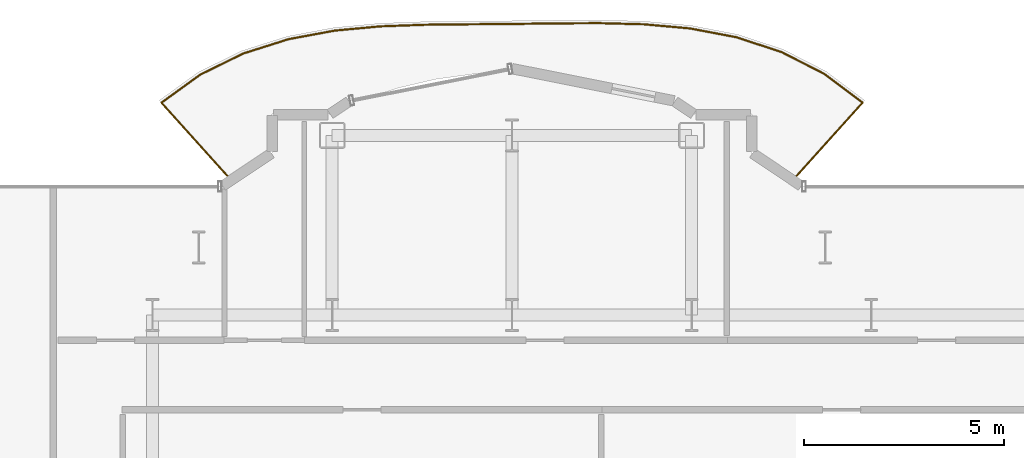
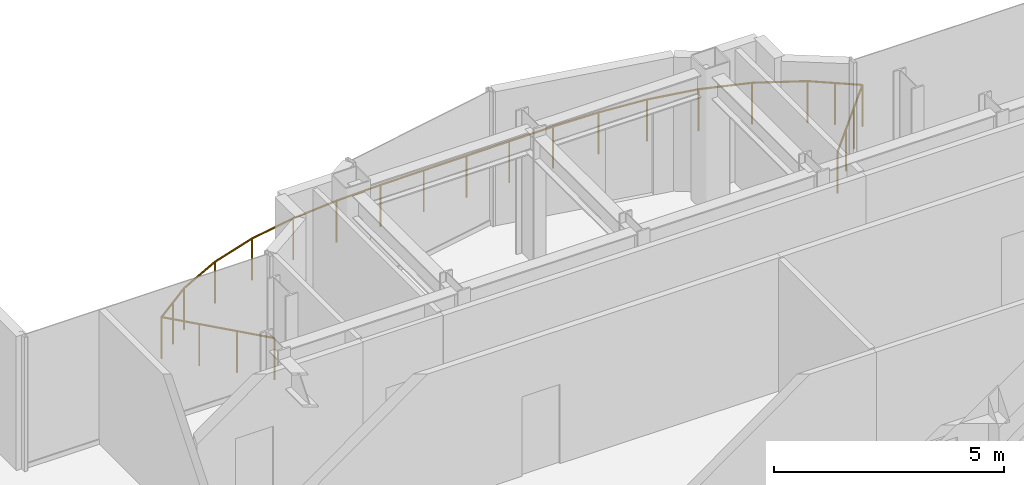
# One storey, part 20 of 20: 1 railing.
"""IFC4 building model written with IfcOpenShell, lengths in metres."""

from ifc_helpers import new_model, si_unit, direction, frame, origin, origin_2d, place, context, subcontext, project, spatial, circle, extrude, material, type_object, element, save


model = new_model("IFC4")

# Units and contexts
model_context = context("Model", 3, precision=1e-05, world=origin(), true_north=direction((0.0, 1.0)))
body_context = subcontext(model_context, "Body", "Model", "MODEL_VIEW")
ifc_project = project(units=[si_unit("LENGTHUNIT", "METRE"), si_unit("AREAUNIT", "SQUARE_METRE"), si_unit("VOLUMEUNIT", "CUBIC_METRE"), si_unit("PLANEANGLEUNIT", "RADIAN"), si_unit("MASSUNIT", "GRAM", prefix="KILO")], contexts=[model_context])

# Site, building, storey
site_placement = place(None, origin())
site = spatial("IfcSite", under=ifc_project, at=site_placement, CompositionType="ELEMENT")
building_placement = place(site_placement, origin())
building = spatial("IfcBuilding", under=site, at=building_placement, Name="Nefas-Gora Pilgrimage Tower", CompositionType="ELEMENT")
storey_placement = place(building_placement, frame((0.0, 0.0, 225.60009765625)))
storey = spatial("IfcBuildingStorey", under=building, at=storey_placement, Name="L56", CompositionType="ELEMENT", Elevation=225.60009765625)

# Railing
ifc_material = material(Name="Laminated safety glass and stainless steel", Category="steel")
railing_type = type_object("IfcRailingType", Name="RLG-BAL-1100", PredefinedType="BALUSTRADE", material=ifc_material)
railing_placement = place(storey_placement, frame((4.802490234375, 21.402587890625, 0.0)))
element("IfcRailing", 1, at=railing_placement, inside=storey, type_object=railing_type, Name="L56 Wave Balcony Balustrade N1", PredefinedType="BALUSTRADE", context=body_context, shape_type="SweptSolid", body=[
    extrude(circle(Radius=0.02392578125, at=origin_2d()), frame((0.0, 0.0, 1.09619140625), z_axis=(0.669142449017, 0.743134162129, 0.0), x_axis=(-0.743134162129, 0.669142449017, 0.0)), (0.0, 0.0, 1.0), 2.580322265625),
    extrude(circle(Radius=0.02392578125, at=origin_2d()), frame((1.7265625, 1.91748046875, 1.09619140625), z_axis=(-0.799609380454, 0.600520473164, 0.0), x_axis=(-0.600520473164, -0.799609380454, 0.0)), (0.0, 0.0, 1.0), 1.200439453125),
    extrude(circle(Radius=0.02392578125, at=origin_2d()), frame((0.7666015625, 2.638427734375, 1.09619140625), z_axis=(-0.890733279512, 0.45452637412, 0.0), x_axis=(-0.45452637412, -0.890733279512, 0.0)), (0.0, 0.0, 1.0), 1.199462890625),
    extrude(circle(Radius=0.02392578125, at=origin_2d()), frame((-0.3017578125, 3.18359375, 1.09619140625), z_axis=(-0.950145160324, 0.311807912523, 0.0), x_axis=(-0.311807912523, -0.950145160324, 0.0)), (0.0, 0.0, 1.0), 1.194091796875),
    extrude(circle(Radius=0.02392578125, at=origin_2d()), frame((-1.436279296875, 3.555908203125, 1.09619140625), z_axis=(-0.982457799544, 0.186485045284, 0.0), x_axis=(-0.186485045284, -0.982457799544, 0.0)), (0.0, 0.0, 1.0), 1.180908203125),
    extrude(circle(Radius=0.02392578125, at=origin_2d()), frame((-2.596435546875, 3.776123046875, 1.09619140625), z_axis=(-0.996011638398, 0.089223405981, 0.0), x_axis=(-0.089223405981, -0.996011638398, 0.0)), (0.0, 0.0, 1.0), 1.157470703125),
    extrude(circle(Radius=0.02392578125, at=origin_2d()), frame((-3.749267578125, 3.87939453125, 1.09619140625), z_axis=(-0.99967356135, 0.025549378436, 0.0), x_axis=(-0.025549378436, -0.99967356135, 0.0)), (0.0, 0.0, 1.0), 1.127685546875),
    extrude(circle(Radius=0.02392578125, at=origin_2d()), frame((-4.87646484375, 3.908203125, 1.09619140625), z_axis=(-0.999980616702, -0.00622625245, 0.0), x_axis=(0.00622625245, -0.999980616702, 0.0)), (0.0, 0.0, 1.0), 1.097900390625),
    extrude(circle(Radius=0.02392578125, at=origin_2d()), frame((-5.974365234375, 3.9013671875, 1.09619140625), z_axis=(-0.99992244912, -0.012453744271, 0.0), x_axis=(0.012453744271, -0.99992244912, 0.0)), (0.0, 0.0, 1.0), 1.078125),
    extrude(circle(Radius=0.02392578125, at=origin_2d()), frame((-7.052490234375, 3.887939453125, 1.09619140625), z_axis=(-0.999968478826, -0.007939858611, 0.0), x_axis=(0.007939858611, -0.999968478826, 0.0)), (0.0, 0.0, 1.0), 1.076171875),
    extrude(circle(Radius=0.02392578125, at=origin_2d()), frame((-8.128662109375, 3.87939453125, 1.09619140625), z_axis=(-0.999947171878, -0.010278786571, 0.0), x_axis=(0.010278786571, -0.999947171878, 0.0)), (0.0, 0.0, 1.0), 1.092529296875),
    extrude(circle(Radius=0.02392578125, at=origin_2d()), frame((-9.22119140625, 3.8681640625, 1.09619140625), z_axis=(-0.99936174395, -0.03572260811, 0.0), x_axis=(0.03572260811, -0.99936174395, 0.0)), (0.0, 0.0, 1.0), 1.120849609375),
    extrude(circle(Radius=0.02392578125, at=origin_2d()), frame((-10.34130859375, 3.828125, 1.09619140625), z_axis=(-0.995737068409, -0.092237143262, 0.0), x_axis=(0.092237143262, -0.995737068409, 0.0)), (0.0, 0.0, 1.0), 1.1513671875),
    extrude(circle(Radius=0.02392578125, at=origin_2d()), frame((-11.48779296875, 3.721923828125, 1.09619140625), z_axis=(-0.983222780011, -0.182408785063, 0.0), x_axis=(0.182408785063, -0.983222780011, 0.0)), (0.0, 0.0, 1.0), 1.176513671875),
    extrude(circle(Radius=0.02392578125, at=origin_2d()), frame((-12.64453125, 3.50732421875, 1.09619140625), z_axis=(-0.953347137132, -0.301876193369, 0.0), x_axis=(0.301876193369, -0.953347137132, 0.0)), (0.0, 0.0, 1.0), 1.192138671875),
    extrude(circle(Radius=0.02392578125, at=origin_2d()), frame((-13.781005859375, 3.1474609375, 1.09619140625), z_axis=(-0.8975416003, -0.440929785489, 0.0), x_axis=(0.440929785489, -0.8975416003, 0.0)), (0.0, 0.0, 1.0), 1.19873046875),
    extrude(circle(Radius=0.02392578125, at=origin_2d()), frame((-14.85693359375, 2.618896484375, 1.09619140625), z_axis=(-0.81049147795, -0.58575042823, 0.0), x_axis=(0.58575042823, -0.81049147795, 0.0)), (0.0, 0.0, 1.0), 1.200439453125),
    extrude(circle(Radius=0.02392578125, at=origin_2d()), frame((-15.829833984375, 1.915771484375, 1.09619140625), z_axis=(0.669105995394, -0.743166984552, 0.0), x_axis=(0.743166984552, 0.669105995394, 0.0)), (0.0, 0.0, 1.0), 2.577880859375),
    extrude(circle(Radius=0.02099609375, at=origin_2d()), origin(), (0.0, 0.0, 1.0), 1.072021484375),
    extrude(circle(Radius=0.02099609375, at=origin_2d()), frame((0.575439453125, 0.63916015625, 0.0)), (0.0, 0.0, 1.0), 1.072021484375),
    extrude(circle(Radius=0.02099609375, at=origin_2d()), frame((1.151123046875, 1.2783203125, 0.0)), (0.0, 0.0, 1.0), 1.072021484375),
    extrude(circle(Radius=0.02099609375, at=origin_2d()), frame((1.7265625, 1.91748046875, 0.0)), (0.0, 0.0, 1.0), 1.072021484375),
    extrude(circle(Radius=0.02099609375, at=origin_2d()), frame((1.24658203125, 2.27783203125, 0.0)), (0.0, 0.0, 1.0), 1.072021484375),
    extrude(circle(Radius=0.02099609375, at=origin_2d()), frame((0.7666015625, 2.638427734375, 0.0)), (0.0, 0.0, 1.0), 1.072021484375),
    extrude(circle(Radius=0.02099609375, at=origin_2d()), frame((-0.3017578125, 3.18359375, 0.0)), (0.0, 0.0, 1.0), 1.072021484375),
    extrude(circle(Radius=0.02099609375, at=origin_2d()), frame((-1.436279296875, 3.555908203125, 0.0)), (0.0, 0.0, 1.0), 1.072021484375),
    extrude(circle(Radius=0.02099609375, at=origin_2d()), frame((-2.596435546875, 3.776123046875, 0.0)), (0.0, 0.0, 1.0), 1.072021484375),
    extrude(circle(Radius=0.02099609375, at=origin_2d()), frame((-3.749267578125, 3.87939453125, 0.0)), (0.0, 0.0, 1.0), 1.072021484375),
    extrude(circle(Radius=0.02099609375, at=origin_2d()), frame((-4.87646484375, 3.908203125, 0.0)), (0.0, 0.0, 1.0), 1.072021484375),
    extrude(circle(Radius=0.02099609375, at=origin_2d()), frame((-5.974365234375, 3.9013671875, 0.0)), (0.0, 0.0, 1.0), 1.072021484375),
    extrude(circle(Radius=0.02099609375, at=origin_2d()), frame((-7.052490234375, 3.887939453125, 0.0)), (0.0, 0.0, 1.0), 1.072021484375),
    extrude(circle(Radius=0.02099609375, at=origin_2d()), frame((-8.128662109375, 3.87939453125, 0.0)), (0.0, 0.0, 1.0), 1.072021484375),
    extrude(circle(Radius=0.02099609375, at=origin_2d()), frame((-9.22119140625, 3.8681640625, 0.0)), (0.0, 0.0, 1.0), 1.072021484375),
    extrude(circle(Radius=0.02099609375, at=origin_2d()), frame((-10.34130859375, 3.828125, 0.0)), (0.0, 0.0, 1.0), 1.072021484375),
    extrude(circle(Radius=0.02099609375, at=origin_2d()), frame((-11.48779296875, 3.721923828125, 0.0)), (0.0, 0.0, 1.0), 1.072021484375),
    extrude(circle(Radius=0.02099609375, at=origin_2d()), frame((-12.64453125, 3.50732421875, 0.0)), (0.0, 0.0, 1.0), 1.072021484375),
    extrude(circle(Radius=0.02099609375, at=origin_2d()), frame((-13.781005859375, 3.1474609375, 0.0)), (0.0, 0.0, 1.0), 1.072021484375),
    extrude(circle(Radius=0.02099609375, at=origin_2d()), frame((-14.85693359375, 2.618896484375, 0.0)), (0.0, 0.0, 1.0), 1.072021484375),
    extrude(circle(Radius=0.02099609375, at=origin_2d()), frame((-15.34326171875, 2.267333984375, 0.0)), (0.0, 0.0, 1.0), 1.072021484375),
    extrude(circle(Radius=0.02099609375, at=origin_2d()), frame((-15.829833984375, 1.915771484375, 0.0)), (0.0, 0.0, 1.0), 1.072021484375),
    extrude(circle(Radius=0.02099609375, at=origin_2d()), frame((-15.2548828125, 1.277099609375, 0.0)), (0.0, 0.0, 1.0), 1.072021484375),
    extrude(circle(Radius=0.02099609375, at=origin_2d()), frame((-14.679931640625, 0.638671875, 0.0)), (0.0, 0.0, 1.0), 1.072021484375),
    extrude(circle(Radius=0.02099609375, at=origin_2d()), frame((-14.10498046875, 0.0, 0.0)), (0.0, 0.0, 1.0), 1.072021484375),
])

save(model, "model.ifc")
